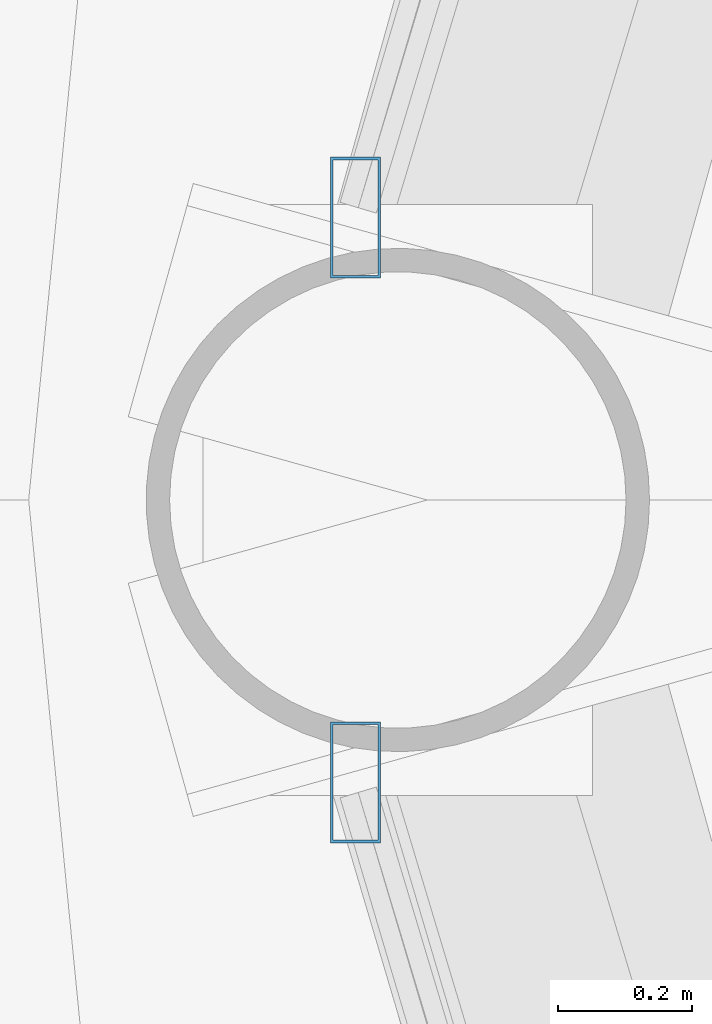
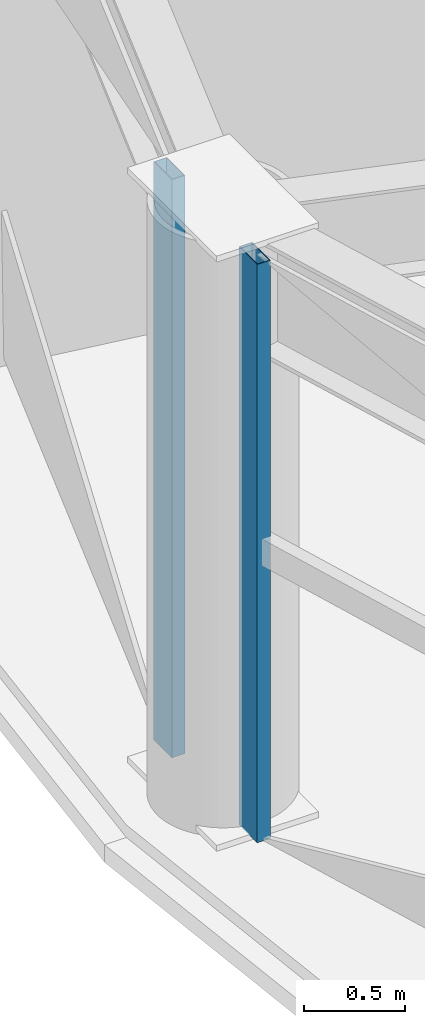
# One storey, part 6 of 29: 2 members, 2 elements without a shape of their own.
"""IFC4 building model written with IfcOpenShell, lengths in metres."""

from ifc_helpers import new_model, si_unit, direction, frame, origin, origin_2d, place, context, subcontext, project, spatial, hollow_rectangle, extrude, material, layer, layer_set, material_profile, profile_set, type_object, element, aggregate, save


model = new_model("IFC4")

# Units and contexts
model_context = context("Model", 3, precision=1e-05, world=origin(), true_north=direction((0.0, 1.0)))
body_context = subcontext(model_context, "Body", "Model", "MODEL_VIEW")
ifc_project = project(units=[si_unit("LENGTHUNIT", "METRE"), si_unit("AREAUNIT", "SQUARE_METRE"), si_unit("VOLUMEUNIT", "CUBIC_METRE"), si_unit("PLANEANGLEUNIT", "RADIAN"), si_unit("MASSUNIT", "GRAM", prefix="KILO")], contexts=[model_context])

# Site, building, storey
site_placement = place(None, origin())
site = spatial("IfcSite", under=ifc_project, at=site_placement, CompositionType="ELEMENT")
building_placement = place(site_placement, origin())
building = spatial("IfcBuilding", under=site, at=building_placement, Name="Vantalir Tower", CompositionType="ELEMENT")
storey_placement = place(building_placement, frame((0.0, 0.0, 157.199951171875)))
storey = spatial("IfcBuildingStorey", under=building, at=storey_placement, Name="L39", CompositionType="ELEMENT", Elevation=157.199951171875)

# Curtain wall, member
ifc_material_1 = material(Name="Champagne-silver PVDF aluminium and double-silver Low-E glass", Category="aluminium")
ifc_layer = layer(ifc_material_1, 0.199951171875)
ifc_layer_set = layer_set([ifc_layer], Name="Champagne-silver PVDF aluminium and double-silver Low-E glass")
curtain_wall_type = type_object("IfcCurtainWallType", Name="CW-DIAMOND-Z2", PredefinedType="USERDEFINED", material=ifc_layer_set)
curtain_wall_1_placement = place(storey_placement, origin())
curtain_wall_1 = element("IfcCurtainWall", 1, at=curtain_wall_1_placement, inside=storey, type_object=curtain_wall_type, Name="L39 Quilted Pyramid-Diamond Curtain Wall S06", ObjectType="UNITISED CURTAIN WALL", PredefinedType="USERDEFINED")
ifc_material_2 = material(Name="Champagne-silver PVDF aluminium 6063-T6", Category="aluminium")
ifc_material_profile = material_profile(ifc_material_2, hollow_rectangle(XDim=0.074951171875, YDim=0.179931640625, WallThickness=0.00390625, at=origin_2d()), Name="Champagne-silver PVDF aluminium 6063-T6")
ifc_profile_set = profile_set([ifc_material_profile], Name="Champagne-silver PVDF aluminium 6063-T6")
member_type = type_object("IfcMemberType", Name="CWM-180x75", PredefinedType="MULLION", material=ifc_profile_set)
member_1_placement = place(storey_placement, frame((6.654052734375, 25.4208984375, 0.045166015625), z_axis=(0.0, 0.0, 1.0), x_axis=(1.0, 0.0, 0.0)))
member_1 = element("IfcMember", 2, at=member_1_placement, type_object=member_type, Name="CW-L39-S06 Mullion 2", PredefinedType="MULLION", context=body_context, shape_type="SweptSolid", body=[
    extrude(hollow_rectangle(XDim=0.074951171875, YDim=0.179931640625, WallThickness=0.00390625, at=origin_2d()), origin(), (0.0, 0.0, 1.0), 3.47998046875),
])
aggregate(curtain_wall_1, [member_1])

curtain_wall_2_placement = place(storey_placement, origin())
curtain_wall_2 = element("IfcCurtainWall", 3, at=curtain_wall_2_placement, inside=storey, type_object=curtain_wall_type, Name="L39 Quilted Pyramid-Diamond Curtain Wall S07", ObjectType="UNITISED CURTAIN WALL", PredefinedType="USERDEFINED")
member_2_placement = place(storey_placement, frame((6.654052734375, 24.5791015625, 0.045166015625), z_axis=(0.0, 0.0, 1.0), x_axis=(1.0, 0.0, 0.0)))
member_2 = element("IfcMember", 4, at=member_2_placement, type_object=member_type, Name="CW-L39-S07 Mullion 1", PredefinedType="MULLION", context=body_context, shape_type="SweptSolid", body=[
    extrude(hollow_rectangle(XDim=0.074951171875, YDim=0.179931640625, WallThickness=0.00390625, at=origin_2d()), origin(), (0.0, 0.0, 1.0), 3.47998046875),
])
aggregate(curtain_wall_2, [member_2])

save(model, "model.ifc")
